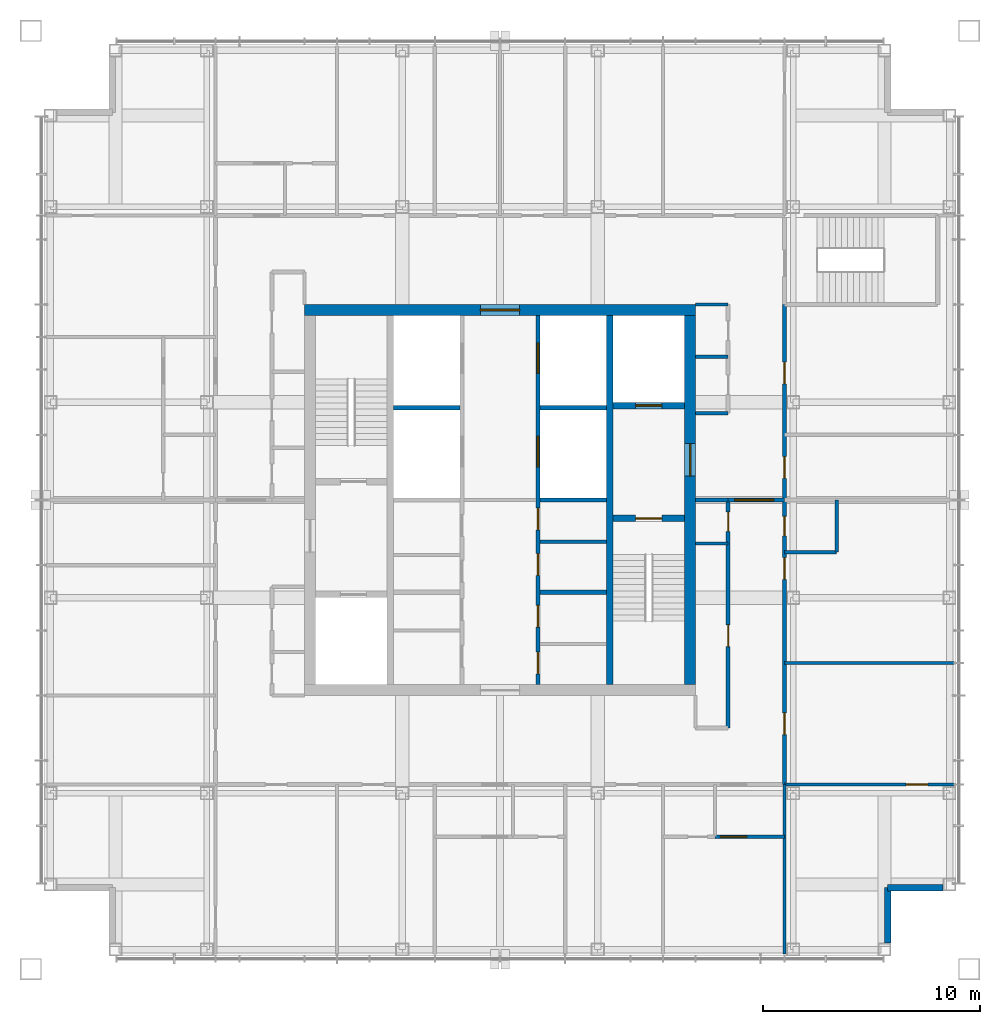
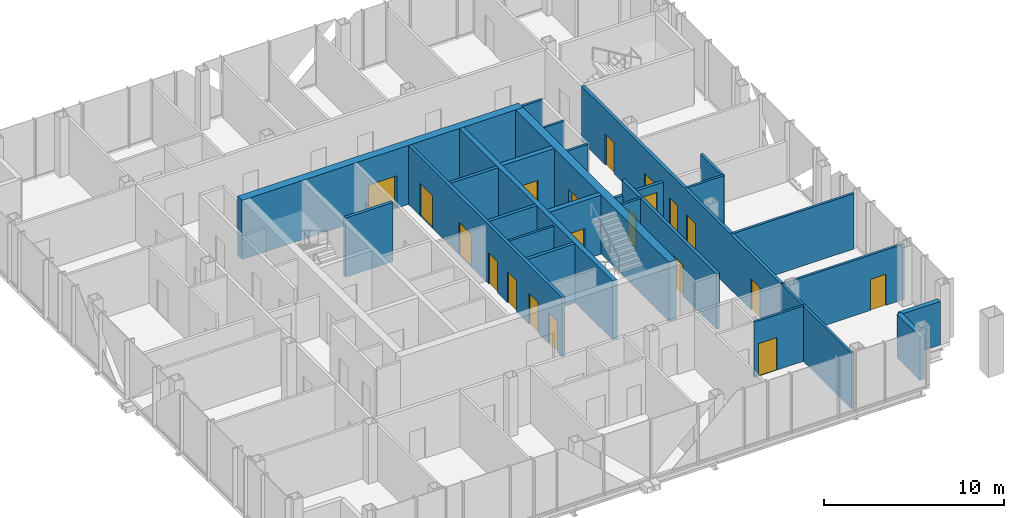
# One storey, part 9 of 12: 27 walls, 20 doors, 20 openings.
"""IFC4 building model written with IfcOpenShell, lengths in metres."""

from ifc_helpers import new_model, si_unit, direction, frame, frame_2d, origin, place, context, subcontext, project, spatial, rectangle, extrude, material, layer, layer_set, type_object, element, fill, save


model = new_model("IFC4")

# Units and contexts
model_context = context("Model", 3, precision=1e-05, world=origin(), true_north=direction((0.0, 1.0)))
body_context = subcontext(model_context, "Body", "Model", "MODEL_VIEW")
ifc_project = project(units=[si_unit("LENGTHUNIT", "METRE"), si_unit("AREAUNIT", "SQUARE_METRE"), si_unit("VOLUMEUNIT", "CUBIC_METRE"), si_unit("PLANEANGLEUNIT", "RADIAN"), si_unit("MASSUNIT", "GRAM", prefix="KILO")], contexts=[model_context])

# Site, building, storey
site_placement = place(None, origin())
site = spatial("IfcSite", under=ifc_project, at=site_placement, CompositionType="ELEMENT")
building_placement = place(site_placement, origin())
building = spatial("IfcBuilding", under=site, at=building_placement, Name="Malebo Sky Hospital", CompositionType="ELEMENT")
storey_placement = place(building_placement, frame((0.0, 0.0, 270.0)))
storey = spatial("IfcBuildingStorey", under=building, at=storey_placement, Name="L65", CompositionType="ELEMENT", Elevation=270.0)

# Wall, openings, doors
ifc_material_1 = material(Name="Concrete C80/95", Category="concrete")
ifc_layer_1 = layer(ifc_material_1, 0.199951171875)
ifc_layer_set_1 = layer_set([ifc_layer_1], Name="CORE INNER WALL 200")
wall_type_1 = type_object("IfcWallType", Name="CORE INNER WALL 200", PredefinedType="SHEAR", material=ifc_layer_set_1)
wall_1_placement = place(storey_placement, frame((61.75, 53.5, 0.0), z_axis=(0.0, 0.0, 1.0), x_axis=(0.0, 1.0, 0.0)))
wall_1 = element("IfcWall", 1, at=wall_1_placement, inside=storey, type_object=wall_type_1, Name="Core wall LE L65", PredefinedType="SHEAR", context=body_context, shape_type="SweptSolid", body=[
    extrude(rectangle(XDim=17.0, YDim=0.199951171875, at=frame_2d((8.5, 0.0))), origin(), (0.0, 0.0, 1.0), 4.0),
])
opening_1_placement = place(wall_1_placement, frame((0.49609375, 0.0, 0.0)))
opening_1 = element("IfcOpeningElement", 2, at=opening_1_placement, cuts=wall_1, Name="Opening D17", PredefinedType="OPENING", context=body_context, shape_type="SweptSolid", body=[
    extrude(rectangle(XDim=1.0, YDim=2.10009765625, at=frame_2d((0.5, 1.050048828125))), frame((0.0, 0.10986328125, 0.0), z_axis=(0.0, -1.0, 0.0), x_axis=(1.0, 0.0, 0.0)), (0.0, 0.0, 1.0), 0.219970703125),
])
opening_2_placement = place(wall_1_placement, frame((2.64599609375, 0.0, 0.0)))
opening_2 = element("IfcOpeningElement", 3, at=opening_2_placement, cuts=wall_1, Name="Opening D17", PredefinedType="OPENING", context=body_context, shape_type="SweptSolid", body=[
    extrude(rectangle(XDim=1.0, YDim=2.10009765625, at=frame_2d((0.5, 1.050048828125))), frame((0.0, 0.10986328125, 0.0), z_axis=(0.0, -1.0, 0.0), x_axis=(1.0, 0.0, 0.0)), (0.0, 0.0, 1.0), 0.219970703125),
])
opening_3_placement = place(wall_1_placement, frame((5.026611328125, 0.0, 0.0)))
opening_3 = element("IfcOpeningElement", 4, at=opening_3_placement, cuts=wall_1, Name="Opening D17", PredefinedType="OPENING", context=body_context, shape_type="SweptSolid", body=[
    extrude(rectangle(XDim=1.0, YDim=2.10009765625, at=frame_2d((0.5, 1.050048828125))), frame((0.0, 0.10986328125, 0.0), z_axis=(0.0, -1.0, 0.0), x_axis=(1.0, 0.0, 0.0)), (0.0, 0.0, 1.0), 0.219970703125),
])
opening_4_placement = place(wall_1_placement, frame((7.12646484375, 0.0, 0.0)))
opening_4 = element("IfcOpeningElement", 5, at=opening_4_placement, cuts=wall_1, Name="Opening D17", PredefinedType="OPENING", context=body_context, shape_type="SweptSolid", body=[
    extrude(rectangle(XDim=1.0, YDim=2.10009765625, at=frame_2d((0.5, 1.050048828125))), frame((0.0, 0.10986328125, 0.0), z_axis=(0.0, -1.0, 0.0), x_axis=(1.0, 0.0, 0.0)), (0.0, 0.0, 1.0), 0.219970703125),
])
opening_5_placement = place(wall_1_placement, frame((10.02490234375, 0.0, 0.0)))
opening_5 = element("IfcOpeningElement", 6, at=opening_5_placement, cuts=wall_1, Name="Opening LD1", PredefinedType="OPENING", context=body_context, shape_type="SweptSolid", body=[
    extrude(rectangle(XDim=1.39990234375, YDim=2.199951171875, at=frame_2d((0.699951171875, 1.10009765625))), frame((0.0, 0.10986328125, 0.0), z_axis=(0.0, -1.0, 0.0), x_axis=(1.0, 0.0, 0.0)), (0.0, 0.0, 1.0), 0.219970703125),
])
opening_6_placement = place(wall_1_placement, frame((14.324951171875, 0.0, 0.0)))
opening_6 = element("IfcOpeningElement", 7, at=opening_6_placement, cuts=wall_1, Name="Opening LD1", PredefinedType="OPENING", context=body_context, shape_type="SweptSolid", body=[
    extrude(rectangle(XDim=1.39990234375, YDim=2.199951171875, at=frame_2d((0.699951171875, 1.10009765625))), frame((0.0, 0.10986328125, 0.0), z_axis=(0.0, -1.0, 0.0), x_axis=(1.0, 0.0, 0.0)), (0.0, 0.0, 1.0), 0.219970703125),
])
ifc_material_2 = material(Name="Hardwood-faced door leaf in steel frame", Category="steel")
door_type_1 = type_object("IfcDoorType", Name="FIRE DOOR 1000", OperationType="SINGLE_SWING_LEFT", PredefinedType="DOOR", material=ifc_material_2)
door_1_placement = place(opening_1_placement, origin())
door_1 = element("IfcDoor", 8, at=door_1_placement, inside=storey, type_object=door_type_1, Name="Mattress store door", OperationType="SINGLE_SWING_RIGHT", OverallHeight=2.10009765625, OverallWidth=1.0, PredefinedType="DOOR", context=body_context, shape_type="SweptSolid", body=[
    extrude(rectangle(XDim=1.0, YDim=2.10009765625, at=frame_2d((0.5, 1.050048828125))), frame((0.0, 0.02490234375, 0.0), z_axis=(0.0, -1.0, 0.0), x_axis=(1.0, 0.0, 0.0)), (0.0, 0.0, 1.0), 0.050048828125),
])
fill(opening_1, door_1)
door_2_placement = place(opening_2_placement, origin())
door_2 = element("IfcDoor", 9, at=door_2_placement, inside=storey, type_object=door_type_1, Name="Cleaning equipment store door", OperationType="SINGLE_SWING_RIGHT", OverallHeight=2.10009765625, OverallWidth=1.0, PredefinedType="DOOR", context=body_context, shape_type="SweptSolid", body=[
    extrude(rectangle(XDim=1.0, YDim=2.10009765625, at=frame_2d((0.5, 1.050048828125))), frame((0.0, 0.02490234375, 0.0), z_axis=(0.0, -1.0, 0.0), x_axis=(1.0, 0.0, 0.0)), (0.0, 0.0, 1.0), 0.050048828125),
])
fill(opening_2, door_2)
door_3_placement = place(opening_3_placement, origin())
door_3 = element("IfcDoor", 10, at=door_3_placement, inside=storey, type_object=door_type_1, Name="Archive store door", OperationType="SINGLE_SWING_RIGHT", OverallHeight=2.10009765625, OverallWidth=1.0, PredefinedType="DOOR", context=body_context, shape_type="SweptSolid", body=[
    extrude(rectangle(XDim=1.0, YDim=2.10009765625, at=frame_2d((0.5, 1.050048828125))), frame((0.0, 0.02490234375, 0.0), z_axis=(0.0, -1.0, 0.0), x_axis=(1.0, 0.0, 0.0)), (0.0, 0.0, 1.0), 0.050048828125),
])
fill(opening_3, door_3)
door_4_placement = place(opening_4_placement, origin())
door_4 = element("IfcDoor", 11, at=door_4_placement, inside=storey, type_object=door_type_1, Name="General store door", OperationType="SINGLE_SWING_RIGHT", OverallHeight=2.10009765625, OverallWidth=1.0, PredefinedType="DOOR", context=body_context, shape_type="SweptSolid", body=[
    extrude(rectangle(XDim=1.0, YDim=2.10009765625, at=frame_2d((0.5, 1.050048828125))), frame((0.0, 0.02490234375, 0.0), z_axis=(0.0, -1.0, 0.0), x_axis=(1.0, 0.0, 0.0)), (0.0, 0.0, 1.0), 0.050048828125),
])
fill(opening_4, door_4)
ifc_material_3 = material(Name="Stainless steel sliding landing door", Category="steel")
door_type_2 = type_object("IfcDoorType", Name="LIFT LANDING DOOR 1400", OperationType="SLIDING_TO_LEFT", PredefinedType="DOOR", material=ifc_material_3)
door_5_placement = place(opening_5_placement, origin())
door_5 = element("IfcDoor", 12, at=door_5_placement, inside=storey, type_object=door_type_2, Name="Lift E3 landing door", OperationType="SLIDING_TO_LEFT", OverallHeight=2.199951171875, OverallWidth=1.39990234375, PredefinedType="DOOR", context=body_context, shape_type="SweptSolid", body=[
    extrude(rectangle(XDim=1.39990234375, YDim=2.199951171875, at=frame_2d((0.699951171875, 1.10009765625))), frame((0.0, 0.02490234375, 0.0), z_axis=(0.0, -1.0, 0.0), x_axis=(1.0, 0.0, 0.0)), (0.0, 0.0, 1.0), 0.050048828125),
])
fill(opening_5, door_5)
door_6_placement = place(opening_6_placement, origin())
door_6 = element("IfcDoor", 13, at=door_6_placement, inside=storey, type_object=door_type_2, Name="Lift E4 landing door", OperationType="SLIDING_TO_LEFT", OverallHeight=2.199951171875, OverallWidth=1.39990234375, PredefinedType="DOOR", context=body_context, shape_type="SweptSolid", body=[
    extrude(rectangle(XDim=1.39990234375, YDim=2.199951171875, at=frame_2d((0.699951171875, 1.10009765625))), frame((0.0, 0.02490234375, 0.0), z_axis=(0.0, -1.0, 0.0), x_axis=(1.0, 0.0, 0.0)), (0.0, 0.0, 1.0), 0.050048828125),
])
fill(opening_6, door_6)

# Walls
for number, where, z_axis, x_axis, name in (
    (14, (61.85009765625, 57.75, 0.0), (0.0, 0.0, 1.0), (1.0, 0.0, 0.0), "Core wall SE0 L65"),
    (15, (61.85009765625, 62.0, 0.0), (0.0, 0.0, 1.0), (1.0, 0.0, 0.0), "Core wall SE1 L65"),
    (16, (55.10009765625, 66.25, 0.0), (0.0, 0.0, 1.0), (1.0, 0.0, 0.0), "Core wall SW2 L65"),
    (17, (61.85009765625, 66.25, 0.0), (0.0, 0.0, 1.0), (1.0, 0.0, 0.0), "Core wall SE2 L65"),
):
    element("IfcWall", number, at=place(storey_placement, frame(where, z_axis=z_axis, x_axis=x_axis)), inside=storey, type_object=wall_type_1, Name=name, PredefinedType="SHEAR", context=body_context, shape_type="SweptSolid", body=[
        extrude(rectangle(XDim=3.0498046875, YDim=0.199951171875, at=frame_2d((1.52490234375, 0.0))), origin(), (0.0, 0.0, 1.0), 4.0),
    ])
ifc_layer_2 = layer(ifc_material_1, 0.300048828125)
ifc_layer_set_2 = layer_set([ifc_layer_2], Name="CORE INNER WALL 300")
wall_type_2 = type_object("IfcWallType", Name="CORE INNER WALL 300", PredefinedType="SHEAR", material=ifc_layer_set_2)
wall_2_placement = place(storey_placement, frame((65.050048828125, 53.5, 0.0), z_axis=(0.0, 0.0, 1.0), x_axis=(0.0, 1.0, 0.0)))
element("IfcWall", 18, at=wall_2_placement, inside=storey, type_object=wall_type_2, Name="Core wall XE L65", PredefinedType="SHEAR", context=body_context, shape_type="SweptSolid", body=[
    extrude(rectangle(XDim=17.0, YDim=0.300048828125, at=frame_2d((8.5, 0.0))), origin(), (0.0, 0.0, 1.0), 4.0),
])

# Wall, opening, door
wall_3_placement = place(storey_placement, frame((65.199951171875, 61.14990234375, 0.0), z_axis=(0.0, 0.0, 1.0), x_axis=(1.0, 0.0, 0.0)))
wall_3 = element("IfcWall", 19, at=wall_3_placement, inside=storey, type_object=wall_type_2, Name="Core wall E1 L65", PredefinedType="SHEAR", context=body_context, shape_type="SweptSolid", body=[
    extrude(rectangle(XDim=3.300048828125, YDim=0.300048828125, at=frame_2d((1.64990234375, 0.0))), origin(), (0.0, 0.0, 1.0), 4.0),
])
opening_7_placement = place(wall_3_placement, frame((1.050048828125, 0.0, 0.0)))
opening_7 = element("IfcOpeningElement", 20, at=opening_7_placement, cuts=wall_3, Name="Opening D08", PredefinedType="OPENING", context=body_context, shape_type="SweptSolid", body=[
    extrude(rectangle(XDim=1.199951171875, YDim=2.10009765625, at=frame_2d((0.60009765625, 1.050048828125))), frame((0.0, 0.159912109375, 0.0), z_axis=(0.0, -1.0, 0.0), x_axis=(1.0, 0.0, 0.0)), (0.0, 0.0, 1.0), 0.320068359375),
])
door_type_3 = type_object("IfcDoorType", Name="STAIR DOOR 1200", OperationType="SINGLE_SWING_LEFT", PredefinedType="DOOR", material=ifc_material_2)
door_7_placement = place(opening_7_placement, origin())
door_7 = element("IfcDoor", 21, at=door_7_placement, inside=storey, type_object=door_type_3, Name="Stair S2 door", OperationType="SINGLE_SWING_LEFT", OverallHeight=2.10009765625, OverallWidth=1.199951171875, PredefinedType="DOOR", context=body_context, shape_type="SweptSolid", body=[
    extrude(rectangle(XDim=1.199951171875, YDim=2.10009765625, at=frame_2d((0.60009765625, 1.050048828125))), frame((0.0, 0.02490234375, 0.0), z_axis=(0.0, -1.0, 0.0), x_axis=(1.0, 0.0, 0.0)), (0.0, 0.0, 1.0), 0.050048828125),
])
fill(opening_7, door_7)

wall_4_placement = place(storey_placement, frame((65.199951171875, 66.35009765625, 0.0), z_axis=(0.0, 0.0, 1.0), x_axis=(1.0, 0.0, 0.0)))
wall_4 = element("IfcWall", 22, at=wall_4_placement, inside=storey, type_object=wall_type_2, Name="Core wall E2 L65", PredefinedType="SHEAR", context=body_context, shape_type="SweptSolid", body=[
    extrude(rectangle(XDim=3.300048828125, YDim=0.300048828125, at=frame_2d((1.64990234375, 0.0))), origin(), (0.0, 0.0, 1.0), 4.0),
])
opening_8_placement = place(wall_4_placement, frame((1.050048828125, 0.0, 0.0)))
opening_8 = element("IfcOpeningElement", 23, at=opening_8_placement, cuts=wall_4, Name="Opening LD2", PredefinedType="OPENING", context=body_context, shape_type="SweptSolid", body=[
    extrude(rectangle(XDim=1.199951171875, YDim=2.199951171875, at=frame_2d((0.60009765625, 1.10009765625))), frame((0.0, 0.159912109375, 0.0), z_axis=(0.0, -1.0, 0.0), x_axis=(1.0, 0.0, 0.0)), (0.0, 0.0, 1.0), 0.320068359375),
])
door_type_4 = type_object("IfcDoorType", Name="FIRE-FIGHTING LIFT LANDING DOOR 1200", OperationType="SLIDING_TO_LEFT", PredefinedType="DOOR", material=ifc_material_3)
door_8_placement = place(opening_8_placement, origin())
door_8 = element("IfcDoor", 24, at=door_8_placement, inside=storey, type_object=door_type_4, Name="Lift FL2 landing door", OperationType="SLIDING_TO_LEFT", OverallHeight=2.199951171875, OverallWidth=1.199951171875, PredefinedType="DOOR", context=body_context, shape_type="SweptSolid", body=[
    extrude(rectangle(XDim=1.199951171875, YDim=2.199951171875, at=frame_2d((0.60009765625, 1.10009765625))), frame((0.0, 0.02490234375, 0.0), z_axis=(0.0, -1.0, 0.0), x_axis=(1.0, 0.0, 0.0)), (0.0, 0.0, 1.0), 0.050048828125),
])
fill(opening_8, door_8)

ifc_layer_3 = layer(ifc_material_1, 0.5)
ifc_layer_set_3 = layer_set([ifc_layer_3], Name="CORE WALL 500")
wall_type_3 = type_object("IfcWallType", Name="CORE WALL 500", PredefinedType="SHEAR", material=ifc_layer_set_3)
wall_5_placement = place(storey_placement, frame((51.0, 70.75, 0.0), z_axis=(0.0, 0.0, 1.0), x_axis=(1.0, 0.0, 0.0)))
wall_5 = element("IfcWall", 25, at=wall_5_placement, inside=storey, type_object=wall_type_3, Name="Core wall N L65", PredefinedType="SHEAR", context=body_context, shape_type="SweptSolid", body=[
    extrude(rectangle(XDim=18.0, YDim=0.5, at=frame_2d((9.0, 0.0))), origin(), (0.0, 0.0, 1.0), 4.0),
])
opening_9_placement = place(wall_5_placement, frame((8.10009765625, 0.0, 0.0)))
opening_9 = element("IfcOpeningElement", 26, at=opening_9_placement, cuts=wall_5, Name="Opening D06", PredefinedType="OPENING", context=body_context, shape_type="SweptSolid", body=[
    extrude(rectangle(XDim=1.800048828125, YDim=2.199951171875, at=frame_2d((0.89990234375, 1.10009765625))), frame((0.0, 0.260009765625, 0.0), z_axis=(0.0, -1.0, 0.0), x_axis=(1.0, 0.0, 0.0)), (0.0, 0.0, 1.0), 0.52001953125),
])
door_type_5 = type_object("IfcDoorType", Name="LOBBY DOOR PAIR 1800", OperationType="DOUBLE_DOOR_SINGLE_SWING", PredefinedType="DOOR", material=ifc_material_2)
door_9_placement = place(opening_9_placement, origin())
door_9 = element("IfcDoor", 27, at=door_9_placement, inside=storey, type_object=door_type_5, Name="Lift lobby door north", OperationType="DOUBLE_DOOR_SINGLE_SWING", OverallHeight=2.199951171875, OverallWidth=1.800048828125, PredefinedType="DOOR", context=body_context, shape_type="SweptSolid", body=[
    extrude(rectangle(XDim=1.800048828125, YDim=2.199951171875, at=frame_2d((0.89990234375, 1.10009765625))), frame((0.0, 0.02490234375, 0.0), z_axis=(0.0, -1.0, 0.0), x_axis=(1.0, 0.0, 0.0)), (0.0, 0.0, 1.0), 0.050048828125),
])
fill(opening_9, door_9)

wall_6_placement = place(storey_placement, frame((68.75, 53.5, 0.0), z_axis=(0.0, 0.0, 1.0), x_axis=(0.0, 1.0, 0.0)))
wall_6 = element("IfcWall", 28, at=wall_6_placement, inside=storey, type_object=wall_type_3, Name="Core wall E L65", PredefinedType="SHEAR", context=body_context, shape_type="SweptSolid", body=[
    extrude(rectangle(XDim=17.0, YDim=0.5, at=frame_2d((8.5, 0.0))), origin(), (0.0, 0.0, 1.0), 4.0),
])
opening_10_placement = place(wall_6_placement, frame((9.60009765625, 0.0, 0.0)))
opening_10 = element("IfcOpeningElement", 29, at=opening_10_placement, cuts=wall_6, Name="Opening D07", PredefinedType="OPENING", context=body_context, shape_type="SweptSolid", body=[
    extrude(rectangle(XDim=1.5, YDim=2.199951171875, at=frame_2d((0.75, 1.10009765625))), frame((0.0, 0.260009765625, 0.0), z_axis=(0.0, -1.0, 0.0), x_axis=(1.0, 0.0, 0.0)), (0.0, 0.0, 1.0), 0.52001953125),
])
door_type_6 = type_object("IfcDoorType", Name="FIRE-FIGHTING LOBBY DOOR PAIR 1500", OperationType="DOUBLE_DOOR_SINGLE_SWING", PredefinedType="DOOR", material=ifc_material_2)
door_10_placement = place(opening_10_placement, origin())
door_10 = element("IfcDoor", 30, at=door_10_placement, inside=storey, type_object=door_type_6, Name="Fire-fighting lobby door east", OperationType="DOUBLE_DOOR_SINGLE_SWING", OverallHeight=2.199951171875, OverallWidth=1.5, PredefinedType="DOOR", context=body_context, shape_type="SweptSolid", body=[
    extrude(rectangle(XDim=1.5, YDim=2.199951171875, at=frame_2d((0.75, 1.10009765625))), frame((0.0, 0.02490234375, 0.0), z_axis=(0.0, -1.0, 0.0), x_axis=(1.0, 0.0, 0.0)), (0.0, 0.0, 1.0), 0.050048828125),
])
fill(opening_10, door_10)

# Wall, openings, doors
ifc_material_4 = material(Name="Gypsum board on steel studs", Category="steel")
ifc_layer_4 = layer(ifc_material_4, 0.199951171875)
ifc_layer_set_4 = layer_set([ifc_layer_4], Name="CORRIDOR WALL 200")
wall_type_4 = type_object("IfcWallType", Name="CORRIDOR WALL 200", PredefinedType="PARTITIONING", material=ifc_layer_set_4)
wall_7_placement = place(storey_placement, frame((73.10009765625, 71.0, 0.0), z_axis=(0.0, 0.0, 1.0), x_axis=(0.0, -1.0, 0.0)))
wall_7 = element("IfcWall", 31, at=wall_7_placement, inside=storey, type_object=wall_type_4, Name="Corridor Wall 200 ECO", PredefinedType="PARTITIONING", context=body_context, shape_type="SweptSolid", body=[
    extrude(rectangle(XDim=22.10009765625, YDim=0.199951171875, at=frame_2d((11.050048828125, 0.0))), origin(), (0.0, 0.0, 1.0), 3.75),
])
opening_11_placement = place(wall_7_placement, frame((2.64990234375, 0.0, 0.0)))
opening_11 = element("IfcOpeningElement", 32, at=opening_11_placement, cuts=wall_7, Name="Opening D03", PredefinedType="OPENING", context=body_context, shape_type="SweptSolid", body=[
    extrude(rectangle(XDim=1.0, YDim=2.10009765625, at=frame_2d((0.5, 1.050048828125))), frame((0.0, 0.10986328125, 0.0), z_axis=(0.0, -1.0, 0.0), x_axis=(1.0, 0.0, 0.0)), (0.0, 0.0, 1.0), 0.219970703125),
])
opening_12_placement = place(wall_7_placement, frame((7.0, 0.0, 0.0)))
opening_12 = element("IfcOpeningElement", 33, at=opening_12_placement, cuts=wall_7, Name="Opening D03", PredefinedType="OPENING", context=body_context, shape_type="SweptSolid", body=[
    extrude(rectangle(XDim=1.0, YDim=2.10009765625, at=frame_2d((0.5, 1.050048828125))), frame((0.0, 0.10986328125, 0.0), z_axis=(0.0, -1.0, 0.0), x_axis=(1.0, 0.0, 0.0)), (0.0, 0.0, 1.0), 0.219970703125),
])
opening_13_placement = place(wall_7_placement, frame((9.75, 0.0, 0.0)))
opening_13 = element("IfcOpeningElement", 34, at=opening_13_placement, cuts=wall_7, Name="Opening D04", PredefinedType="OPENING", context=body_context, shape_type="SweptSolid", body=[
    extrude(rectangle(XDim=0.89990234375, YDim=2.10009765625, at=frame_2d((0.449951171875, 1.050048828125))), frame((0.0, 0.10986328125, 0.0), z_axis=(0.0, -1.0, 0.0), x_axis=(1.0, 0.0, 0.0)), (0.0, 0.0, 1.0), 0.219970703125),
])
opening_14_placement = place(wall_7_placement, frame((11.64990234375, 0.0, 0.0)))
opening_14 = element("IfcOpeningElement", 35, at=opening_14_placement, cuts=wall_7, Name="Opening D03", PredefinedType="OPENING", context=body_context, shape_type="SweptSolid", body=[
    extrude(rectangle(XDim=1.0, YDim=2.10009765625, at=frame_2d((0.5, 1.050048828125))), frame((0.0, 0.10986328125, 0.0), z_axis=(0.0, -1.0, 0.0), x_axis=(1.0, 0.0, 0.0)), (0.0, 0.0, 1.0), 0.219970703125),
])
opening_15_placement = place(wall_7_placement, frame((18.800048828125, 0.0, 0.0)))
opening_15 = element("IfcOpeningElement", 36, at=opening_15_placement, cuts=wall_7, Name="Opening D03", PredefinedType="OPENING", context=body_context, shape_type="SweptSolid", body=[
    extrude(rectangle(XDim=1.0, YDim=2.10009765625, at=frame_2d((0.5, 1.050048828125))), frame((0.0, 0.10986328125, 0.0), z_axis=(0.0, -1.0, 0.0), x_axis=(1.0, 0.0, 0.0)), (0.0, 0.0, 1.0), 0.219970703125),
])
door_type_7 = type_object("IfcDoorType", Name="ROOM DOOR 1000", OperationType="SINGLE_SWING_LEFT", PredefinedType="DOOR", material=ifc_material_2)
door_11_placement = place(opening_11_placement, origin())
door_11 = element("IfcDoor", 37, at=door_11_placement, inside=storey, type_object=door_type_7, Name="Consulting room door", OperationType="SINGLE_SWING_RIGHT", OverallHeight=2.10009765625, OverallWidth=1.0, PredefinedType="DOOR", context=body_context, shape_type="SweptSolid", body=[
    extrude(rectangle(XDim=1.0, YDim=2.10009765625, at=frame_2d((0.5, 1.050048828125))), frame((0.0, 0.02490234375, 0.0), z_axis=(0.0, -1.0, 0.0), x_axis=(1.0, 0.0, 0.0)), (0.0, 0.0, 1.0), 0.050048828125),
])
fill(opening_11, door_11)
door_12_placement = place(opening_12_placement, origin())
door_12 = element("IfcDoor", 38, at=door_12_placement, inside=storey, type_object=door_type_7, Name="Examination room door", OperationType="SINGLE_SWING_RIGHT", OverallHeight=2.10009765625, OverallWidth=1.0, PredefinedType="DOOR", context=body_context, shape_type="SweptSolid", body=[
    extrude(rectangle(XDim=1.0, YDim=2.10009765625, at=frame_2d((0.5, 1.050048828125))), frame((0.0, 0.02490234375, 0.0), z_axis=(0.0, -1.0, 0.0), x_axis=(1.0, 0.0, 0.0)), (0.0, 0.0, 1.0), 0.050048828125),
])
fill(opening_12, door_12)
door_13_placement = place(opening_14_placement, origin())
door_13 = element("IfcDoor", 39, at=door_13_placement, inside=storey, type_object=door_type_7, Name="Staff rest room door", OperationType="SINGLE_SWING_LEFT", OverallHeight=2.10009765625, OverallWidth=1.0, PredefinedType="DOOR", context=body_context, shape_type="SweptSolid", body=[
    extrude(rectangle(XDim=1.0, YDim=2.10009765625, at=frame_2d((0.5, 1.050048828125))), frame((0.0, 0.02490234375, 0.0), z_axis=(0.0, -1.0, 0.0), x_axis=(1.0, 0.0, 0.0)), (0.0, 0.0, 1.0), 0.050048828125),
])
fill(opening_14, door_13)
door_14_placement = place(opening_15_placement, origin())
door_14 = element("IfcDoor", 40, at=door_14_placement, inside=storey, type_object=door_type_7, Name="Patient lounge door", OperationType="SINGLE_SWING_RIGHT", OverallHeight=2.10009765625, OverallWidth=1.0, PredefinedType="DOOR", context=body_context, shape_type="SweptSolid", body=[
    extrude(rectangle(XDim=1.0, YDim=2.10009765625, at=frame_2d((0.5, 1.050048828125))), frame((0.0, 0.02490234375, 0.0), z_axis=(0.0, -1.0, 0.0), x_axis=(1.0, 0.0, 0.0)), (0.0, 0.0, 1.0), 0.050048828125),
])
fill(opening_15, door_14)
door_type_8 = type_object("IfcDoorType", Name="ROOM DOOR 900", OperationType="SINGLE_SWING_LEFT", PredefinedType="DOOR", material=ifc_material_2)
door_15_placement = place(opening_13_placement, origin())
door_15 = element("IfcDoor", 41, at=door_15_placement, inside=storey, type_object=door_type_8, Name="Accessible WC door", OperationType="SINGLE_SWING_LEFT", OverallHeight=2.10009765625, OverallWidth=0.89990234375, PredefinedType="DOOR", context=body_context, shape_type="SweptSolid", body=[
    extrude(rectangle(XDim=0.89990234375, YDim=2.10009765625, at=frame_2d((0.449951171875, 1.050048828125))), frame((0.0, 0.02490234375, 0.0), z_axis=(0.0, -1.0, 0.0), x_axis=(1.0, 0.0, 0.0)), (0.0, 0.0, 1.0), 0.050048828125),
])
fill(opening_13, door_15)

wall_8_placement = place(storey_placement, frame((70.5, 62.0, 0.0), z_axis=(0.0, 0.0, 1.0), x_axis=(0.0, -1.0, 0.0)))
wall_8 = element("IfcWall", 42, at=wall_8_placement, inside=storey, type_object=wall_type_4, Name="Corridor Wall 200 ECI2", PredefinedType="PARTITIONING", context=body_context, shape_type="SweptSolid", body=[
    extrude(rectangle(XDim=10.5, YDim=0.199951171875, at=frame_2d((5.25, 0.0))), origin(), (0.0, 0.0, 1.0), 3.75),
])
opening_16_placement = place(wall_8_placement, frame((0.550048828125, 0.0, 0.0)))
opening_16 = element("IfcOpeningElement", 43, at=opening_16_placement, cuts=wall_8, Name="Opening D04", PredefinedType="OPENING", context=body_context, shape_type="SweptSolid", body=[
    extrude(rectangle(XDim=0.89990234375, YDim=2.10009765625, at=frame_2d((0.449951171875, 1.050048828125))), frame((0.0, 0.10986328125, 0.0), z_axis=(0.0, -1.0, 0.0), x_axis=(1.0, 0.0, 0.0)), (0.0, 0.0, 1.0), 0.219970703125),
])
opening_17_placement = place(wall_8_placement, frame((5.75, 0.0, 0.0)))
opening_17 = element("IfcOpeningElement", 44, at=opening_17_placement, cuts=wall_8, Name="Opening D03", PredefinedType="OPENING", context=body_context, shape_type="SweptSolid", body=[
    extrude(rectangle(XDim=1.0, YDim=2.10009765625, at=frame_2d((0.5, 1.050048828125))), frame((0.0, 0.10986328125, 0.0), z_axis=(0.0, -1.0, 0.0), x_axis=(1.0, 0.0, 0.0)), (0.0, 0.0, 1.0), 0.219970703125),
])
door_16_placement = place(opening_17_placement, origin())
door_16 = element("IfcDoor", 45, at=door_16_placement, inside=storey, type_object=door_type_7, Name="Supplies store door", OperationType="SINGLE_SWING_RIGHT", OverallHeight=2.10009765625, OverallWidth=1.0, PredefinedType="DOOR", context=body_context, shape_type="SweptSolid", body=[
    extrude(rectangle(XDim=1.0, YDim=2.10009765625, at=frame_2d((0.5, 1.050048828125))), frame((0.0, 0.02490234375, 0.0), z_axis=(0.0, -1.0, 0.0), x_axis=(1.0, 0.0, 0.0)), (0.0, 0.0, 1.0), 0.050048828125),
])
fill(opening_17, door_16)
door_17_placement = place(opening_16_placement, origin())
door_17 = element("IfcDoor", 46, at=door_17_placement, inside=storey, type_object=door_type_8, Name="Visitor WC door", OperationType="SINGLE_SWING_LEFT", OverallHeight=2.10009765625, OverallWidth=0.89990234375, PredefinedType="DOOR", context=body_context, shape_type="SweptSolid", body=[
    extrude(rectangle(XDim=0.89990234375, YDim=2.10009765625, at=frame_2d((0.449951171875, 1.050048828125))), frame((0.0, 0.02490234375, 0.0), z_axis=(0.0, -1.0, 0.0), x_axis=(1.0, 0.0, 0.0)), (0.0, 0.0, 1.0), 0.050048828125),
])
fill(opening_16, door_17)

# Walls
ifc_material_5 = material(Name="Anodised aluminium rainscreen on steel framing", Category="steel")
ifc_layer_5 = layer(ifc_material_5, 0.300048828125)
ifc_layer_set_5 = layer_set([ifc_layer_5], Name="NOTCH RAINSCREEN WALL 300")
wall_type_5 = type_object("IfcWallType", Name="NOTCH RAINSCREEN WALL 300", PredefinedType="ELEMENTEDWALL", material=ifc_layer_set_5)
for number, where, z_axis, x_axis, name in (
    (47, (80.39990234375, 44.14990234375, 0.0), (0.0, 0.0, 1.0), (-1.0, 0.0, 0.0), "Notch rainscreen wall E1 L65"),
    (48, (77.85009765625, 44.14990234375, 0.0), (0.0, 0.0, 1.0), (0.0, -1.0, 0.0), "Notch rainscreen wall E2 L65"),
):
    element("IfcWall", number, at=place(storey_placement, frame(where, z_axis=z_axis, x_axis=x_axis)), inside=storey, type_object=wall_type_5, Name=name, PredefinedType="ELEMENTEDWALL", context=body_context, shape_type="SweptSolid", body=[
        extrude(rectangle(XDim=2.5498046875, YDim=0.300048828125, at=frame_2d((1.27490234375, 0.0))), origin(), (0.0, 0.0, 1.0), 2.949951171875),
    ])
ifc_layer_6 = layer(ifc_material_4, 0.14990234375)
ifc_layer_set_6 = layer_set([ifc_layer_6], Name="PARTITION 150")
wall_type_6 = type_object("IfcWallType", Name="PARTITION 150", PredefinedType="PARTITIONING", material=ifc_layer_set_6)
for number, where, z_axis, x_axis, name in (
    (49, (73.10009765625, 48.89990234375, 0.0), (0.0, 0.0, 1.0), (0.0, -1.0, 0.0), "Partition 150 SP0"),
    (50, (73.10009765625, 54.5, 0.0), (0.0, 0.0, 1.0), (1.0, 0.0, 0.0), "Partition 150 EP+7.5"),
):
    element("IfcWall", number, at=place(storey_placement, frame(where, z_axis=z_axis, x_axis=x_axis)), inside=storey, type_object=wall_type_6, Name=name, PredefinedType="PARTITIONING", context=body_context, shape_type="SweptSolid", body=[
        extrude(rectangle(XDim=7.7998046875, YDim=0.14990234375, at=frame_2d((3.89990234375, 0.0))), origin(), (0.0, 0.0, 1.0), 3.75),
    ])
for number, where, z_axis, x_axis, name in (
    (51, (75.5, 62.0, 0.0), (0.0, 0.0, 1.0), (0.0, -1.0, 0.0), "Partition 150 EC3F"),
    (52, (73.10009765625, 59.60009765625, 0.0), (0.0, 0.0, 1.0), (1.0, 0.0, 0.0), "Partition 150 EC3S"),
):
    element("IfcWall", number, at=place(storey_placement, frame(where, z_axis=z_axis, x_axis=x_axis)), inside=storey, type_object=wall_type_6, Name=name, PredefinedType="PARTITIONING", context=body_context, shape_type="SweptSolid", body=[
        extrude(rectangle(XDim=2.39990234375, YDim=0.14990234375, at=frame_2d((1.199951171875, 0.0))), origin(), (0.0, 0.0, 1.0), 3.75),
    ])

# Wall, opening, door
wall_9_placement = place(storey_placement, frame((73.10009765625, 48.89990234375, 0.0), z_axis=(0.0, 0.0, 1.0), x_axis=(1.0, 0.0, 0.0)))
wall_9 = element("IfcWall", 53, at=wall_9_placement, inside=storey, type_object=wall_type_6, Name="Partition 150 EK", PredefinedType="PARTITIONING", context=body_context, shape_type="SweptSolid", body=[
    extrude(rectangle(XDim=7.7998046875, YDim=0.14990234375, at=frame_2d((3.89990234375, 0.0))), origin(), (0.0, 0.0, 1.0), 3.75),
])
opening_18_placement = place(wall_9_placement, frame((5.60009765625, 0.0, 0.0)))
opening_18 = element("IfcOpeningElement", 54, at=opening_18_placement, cuts=wall_9, Name="Opening D03", PredefinedType="OPENING", context=body_context, shape_type="SweptSolid", body=[
    extrude(rectangle(XDim=1.0, YDim=2.10009765625, at=frame_2d((0.5, 1.050048828125))), frame((0.0, 0.0849609375, 0.0), z_axis=(0.0, -1.0, 0.0), x_axis=(1.0, 0.0, 0.0)), (0.0, 0.0, 1.0), 0.169921875),
])
door_18_placement = place(opening_18_placement, origin())
door_18 = element("IfcDoor", 55, at=door_18_placement, inside=storey, type_object=door_type_7, Name="Quiet room door", OperationType="SINGLE_SWING_RIGHT", OverallHeight=2.10009765625, OverallWidth=1.0, PredefinedType="DOOR", context=body_context, shape_type="SweptSolid", body=[
    extrude(rectangle(XDim=1.0, YDim=2.10009765625, at=frame_2d((0.5, 1.050048828125))), frame((0.0, 0.02490234375, 0.0), z_axis=(0.0, -1.0, 0.0), x_axis=(1.0, 0.0, 0.0)), (0.0, 0.0, 1.0), 0.050048828125),
])
fill(opening_18, door_18)

# Walls
for number, where, z_axis, x_axis, name in (
    (56, (69.0, 71.0, 0.0), (0.0, 0.0, 1.0), (1.0, 0.0, 0.0), "Partition 150 ESP0"),
    (57, (69.0, 66.0, 0.0), (0.0, 0.0, 1.0), (1.0, 0.0, 0.0), "Partition 150 ESPA"),
    (58, (69.0, 68.60009765625, 0.0), (0.0, 0.0, 1.0), (1.0, 0.0, 0.0), "Partition 150 ESP-6.6"),
    (59, (69.0, 60.0, 0.0), (0.0, 0.0, 1.0), (1.0, 0.0, 0.0), "Partition 150 ESP+2.0"),
):
    element("IfcWall", number, at=place(storey_placement, frame(where, z_axis=z_axis, x_axis=x_axis)), inside=storey, type_object=wall_type_6, Name=name, PredefinedType="PARTITIONING", context=body_context, shape_type="SweptSolid", body=[
        extrude(rectangle(XDim=1.5, YDim=0.14990234375, at=frame_2d((0.75, 0.0))), origin(), (0.0, 0.0, 1.0), 3.75),
    ])
wall_10_placement = place(storey_placement, frame((61.85009765625, 60.077880859375, 0.0), z_axis=(0.0, 0.0, 1.0), x_axis=(1.0, 0.0, 0.0)))
element("IfcWall", 60, at=wall_10_placement, inside=storey, type_object=wall_type_6, Name="Partition 150 SHE2", PredefinedType="PARTITIONING", context=body_context, shape_type="SweptSolid", body=[
    extrude(rectangle(XDim=3.0498046875, YDim=0.14990234375, at=frame_2d((1.52490234375, 0.0))), origin(), (0.0, 0.0, 1.0), 3.75),
])

# Wall, opening, door
ifc_material_6 = material(Name="Sealed gypsum board on steel studs, taped to the slab", Category="steel")
ifc_layer_7 = layer(ifc_material_6, 0.14990234375)
ifc_layer_set_7 = layer_set([ifc_layer_7], Name="SEALED ISOLATION PARTITION 150")
wall_type_7 = type_object("IfcWallType", Name="SEALED ISOLATION PARTITION 150", PredefinedType="PARTITIONING", material=ifc_layer_set_7)
wall_11_placement = place(storey_placement, frame((73.10009765625, 46.5, 0.0), z_axis=(0.0, 0.0, 1.0), x_axis=(-1.0, 0.0, 0.0)))
wall_11 = element("IfcWall", 61, at=wall_11_placement, inside=storey, type_object=wall_type_7, Name="Sealed Isolation Partition 150 SA0F", PredefinedType="PARTITIONING", context=body_context, shape_type="SweptSolid", body=[
    extrude(rectangle(XDim=3.2001953125, YDim=0.14990234375, at=frame_2d((1.60009765625, 0.0))), origin(), (0.0, 0.0, 1.0), 3.75),
])
opening_19_placement = place(wall_11_placement, frame((1.75, 0.0, 0.0)))
opening_19 = element("IfcOpeningElement", 62, at=opening_19_placement, cuts=wall_11, Name="Opening D19", PredefinedType="OPENING", context=body_context, shape_type="SweptSolid", body=[
    extrude(rectangle(XDim=1.199951171875, YDim=2.199951171875, at=frame_2d((0.60009765625, 1.10009765625))), frame((0.0, 0.0849609375, 0.0), z_axis=(0.0, -1.0, 0.0), x_axis=(1.0, 0.0, 0.0)), (0.0, 0.0, 1.0), 0.169921875),
])
ifc_material_7 = material(Name="Hardwood-faced door leaf with perimeter seals in steel frame", Category="steel")
door_type_9 = type_object("IfcDoorType", Name="SEALED ISOLATION ROOM DOOR 1200", OperationType="SINGLE_SWING_LEFT", PredefinedType="DOOR", material=ifc_material_7)
door_19_placement = place(opening_19_placement, origin())
door_19 = element("IfcDoor", 63, at=door_19_placement, inside=storey, type_object=door_type_9, Name="Isolation room door", OperationType="SINGLE_SWING_RIGHT", OverallHeight=2.199951171875, OverallWidth=1.199951171875, PredefinedType="DOOR", context=body_context, shape_type="SweptSolid", body=[
    extrude(rectangle(XDim=1.199951171875, YDim=2.199951171875, at=frame_2d((0.60009765625, 1.10009765625))), frame((0.0, 0.02490234375, 0.0), z_axis=(0.0, -1.0, 0.0), x_axis=(1.0, 0.0, 0.0)), (0.0, 0.0, 1.0), 0.050048828125),
])
fill(opening_19, door_19)

# Wall
ifc_material_8 = material(Name="Concrete blockwork", Category="masonry")
ifc_layer_8 = layer(ifc_material_8, 0.199951171875)
ifc_layer_set_8 = layer_set([ifc_layer_8], Name="SMOKE BARRIER WALL 200")
wall_type_8 = type_object("IfcWallType", Name="SMOKE BARRIER WALL 200", PredefinedType="SOLIDWALL", material=ifc_layer_set_8)
wall_12_placement = place(storey_placement, frame((69.0, 62.0, 0.0), z_axis=(0.0, 0.0, 1.0), x_axis=(1.0, 0.0, 0.0)))
element("IfcWall", 64, at=wall_12_placement, inside=storey, type_object=wall_type_8, Name="Smoke Barrier Wall 200 ESPB", PredefinedType="SOLIDWALL", context=body_context, shape_type="SweptSolid", body=[
    extrude(rectangle(XDim=1.5, YDim=0.199951171875, at=frame_2d((0.75, 0.0))), origin(), (0.0, 0.0, 1.0), 2.75),
])

# Wall, opening, door
wall_13_placement = place(storey_placement, frame((70.5, 62.0, 0.0), z_axis=(0.0, 0.0, 1.0), x_axis=(1.0, 0.0, 0.0)))
wall_13 = element("IfcWall", 65, at=wall_13_placement, inside=storey, type_object=wall_type_8, Name="Smoke Barrier Wall 200 ESB", PredefinedType="SOLIDWALL", context=body_context, shape_type="SweptSolid", body=[
    extrude(rectangle(XDim=2.60009765625, YDim=0.199951171875, at=frame_2d((1.300048828125, 0.0))), origin(), (0.0, 0.0, 1.0), 2.75),
])
opening_20_placement = place(wall_13_placement, frame((0.300048828125, 0.0, 0.0)))
opening_20 = element("IfcOpeningElement", 66, at=opening_20_placement, cuts=wall_13, Name="Opening D05", PredefinedType="OPENING", context=body_context, shape_type="SweptSolid", body=[
    extrude(rectangle(XDim=1.800048828125, YDim=2.199951171875, at=frame_2d((0.89990234375, 1.10009765625))), frame((0.0, 0.10986328125, 0.0), z_axis=(0.0, -1.0, 0.0), x_axis=(1.0, 0.0, 0.0)), (0.0, 0.0, 1.0), 0.219970703125),
])
door_type_10 = type_object("IfcDoorType", Name="SMOKE DOOR PAIR 1800", OperationType="DOUBLE_DOOR_DOUBLE_SWING", PredefinedType="DOOR", material=ifc_material_2)
door_20_placement = place(opening_20_placement, origin())
door_20 = element("IfcDoor", 67, at=door_20_placement, inside=storey, type_object=door_type_10, Name="Smoke compartment door pair", OperationType="DOUBLE_DOOR_DOUBLE_SWING", OverallHeight=2.199951171875, OverallWidth=1.800048828125, PredefinedType="DOOR", context=body_context, shape_type="SweptSolid", body=[
    extrude(rectangle(XDim=1.800048828125, YDim=2.199951171875, at=frame_2d((0.89990234375, 1.10009765625))), frame((0.0, 0.02490234375, 0.0), z_axis=(0.0, -1.0, 0.0), x_axis=(1.0, 0.0, 0.0)), (0.0, 0.0, 1.0), 0.050048828125),
])
fill(opening_20, door_20)

save(model, "model.ifc")
